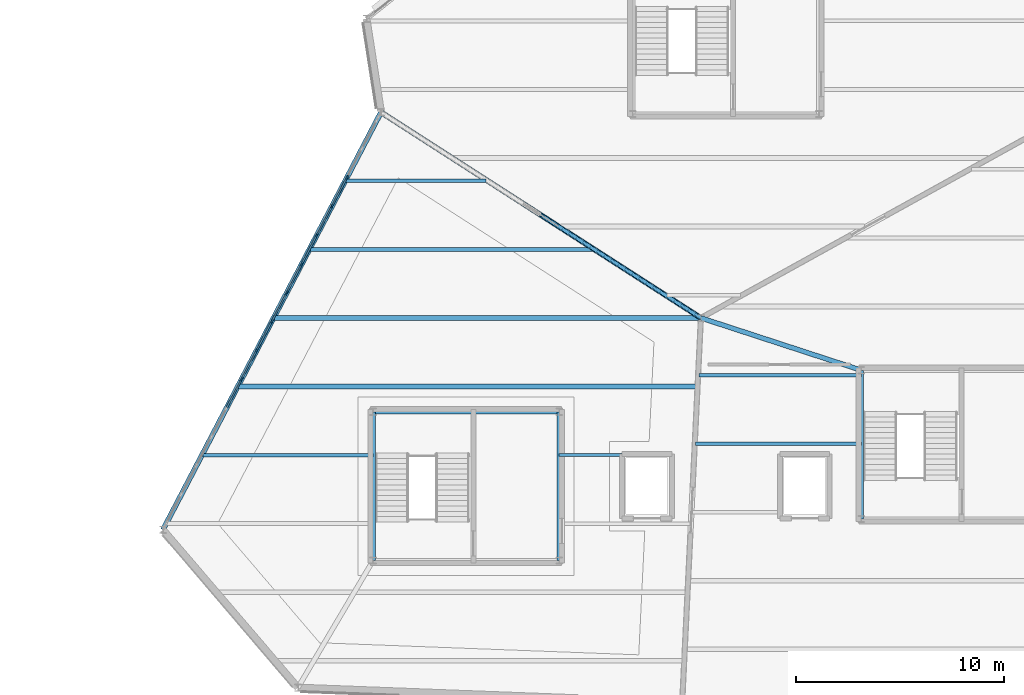
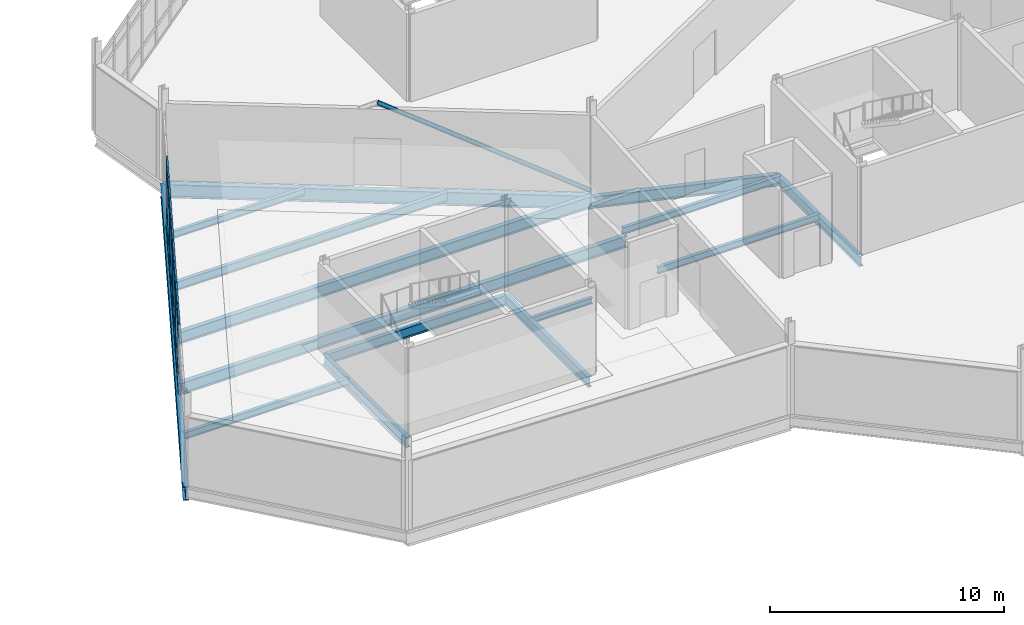
# One storey, part 37 of 76: 41 members, 15 beams, 1 element without a shape of its own.
"""IFC4 building model written with IfcOpenShell, lengths in metres."""

from ifc_helpers import new_model, si_unit, direction, frame, origin, origin_2d, place, context, subcontext, project, spatial, rectangle, hollow_circle, i_section, extrude, material, material_profile, profile_set, type_object, element, aggregate, save


model = new_model("IFC4")

# Units and contexts
model_context = context("Model", 3, precision=1e-05, world=origin(), true_north=direction((0.0, 1.0)))
body_context = subcontext(model_context, "Body", "Model", "MODEL_VIEW")
ifc_project = project(units=[si_unit("LENGTHUNIT", "METRE"), si_unit("AREAUNIT", "SQUARE_METRE"), si_unit("VOLUMEUNIT", "CUBIC_METRE"), si_unit("PLANEANGLEUNIT", "RADIAN"), si_unit("MASSUNIT", "GRAM", prefix="KILO")], contexts=[model_context])

# Site, building, storey
site_placement = place(None, origin())
site = spatial("IfcSite", under=ifc_project, at=site_placement, CompositionType="ELEMENT")
building_placement = place(site_placement, origin())
building = spatial("IfcBuilding", under=site, at=building_placement, Name="Tameran Prism Museum", CompositionType="ELEMENT")
storey_placement = place(building_placement, frame((0.0, 0.0, 15.0)))
storey = spatial("IfcBuildingStorey", under=building, at=storey_placement, Name="L03", CompositionType="ELEMENT", Elevation=15.0)

# Beams
ifc_material_1 = material(Name="Steel Grade 300PLUS (300 MPa)", Category="steel")
ifc_material_profile_1 = material_profile(ifc_material_1, i_section(OverallWidth=0.1650390625, OverallDepth=0.303955078125, WebThickness=0.006103515625, FlangeThickness=0.01025390625, FilletRadius=0.011474609375, at=origin_2d()))
ifc_profile_set_1 = profile_set([ifc_material_profile_1])
beam_type_1 = type_object("IfcBeamType", Name="BM-J310B", PredefinedType="JOIST", material=ifc_profile_set_1)
beam_1_placement = place(storey_placement, frame((111.97998046875, 82.5, -0.35205078125), z_axis=(1.0, 0.0, 0.0), x_axis=(0.0, 1.0, 0.0)))
element("IfcBeam", 1, at=beam_1_placement, inside=storey, type_object=beam_type_1, Name="Floor Beam BM-1055", PredefinedType="JOIST", context=body_context, shape_type="SweptSolid", body=[
    extrude(i_section(OverallWidth=0.1650390625, OverallDepth=0.303955078125, WebThickness=0.006103515625, FlangeThickness=0.01025390625, FilletRadius=0.011474609375, at=origin_2d()), origin(), (0.0, 0.0, 1.0), 3.0400390625),
])
ifc_material_2 = material(Name="Steel Grade 300PLUS (300 MPa)", Category="steel")
ifc_material_profile_2 = material_profile(ifc_material_2, i_section(OverallWidth=0.172119140625, OverallDepth=0.35888671875, WebThickness=0.008056640625, FlangeThickness=0.012939453125, FilletRadius=0.011474609375, at=origin_2d()))
ifc_profile_set_2 = profile_set([ifc_material_profile_2])
beam_type_2 = type_object("IfcBeamType", Name="BM-J360A", PredefinedType="JOIST", material=ifc_profile_set_2)
beam_2_placement = place(storey_placement, frame((118.7060546875, 86.35009765625, -0.37939453125), z_axis=(1.0, 0.0, 0.0), x_axis=(0.0, 1.0, 0.0)))
element("IfcBeam", 2, at=beam_2_placement, inside=storey, type_object=beam_type_2, Name="Floor Beam BM-1068", PredefinedType="JOIST", context=body_context, shape_type="SweptSolid", body=[
    extrude(i_section(OverallWidth=0.172119140625, OverallDepth=0.35888671875, WebThickness=0.008056640625, FlangeThickness=0.012939453125, FilletRadius=0.011474609375, at=origin_2d()), origin(), (0.0, 0.0, 1.0), 7.81396484375),
])
ifc_material_3 = material(Name="Steel Grade 300PLUS (300 MPa)", Category="steel")
ifc_material_profile_3 = material_profile(ifc_material_3, i_section(OverallWidth=0.1708984375, OverallDepth=0.35595703125, WebThickness=0.00732421875, FlangeThickness=0.011474609375, FilletRadius=0.011474609375, at=origin_2d()))
ifc_profile_set_3 = profile_set([ifc_material_profile_3])
beam_type_3 = type_object("IfcBeamType", Name="BM-J360B", PredefinedType="JOIST", material=ifc_profile_set_3)
beam_3_placement = place(storey_placement, frame((94.825927734375, 82.5, -0.3779296875), z_axis=(1.0, 0.0, 0.0), x_axis=(0.0, 1.0, 0.0)))
element("IfcBeam", 3, at=beam_3_placement, inside=storey, type_object=beam_type_3, Name="Floor Beam BM-1054", PredefinedType="JOIST", context=body_context, shape_type="SweptSolid", body=[
    extrude(i_section(OverallWidth=0.1708984375, OverallDepth=0.35595703125, WebThickness=0.00732421875, FlangeThickness=0.011474609375, FilletRadius=0.011474609375, at=origin_2d()), origin(), (0.0, 0.0, 1.0), 8.194091796875),
])
beam_4_placement = place(storey_placement, frame((101.720947265625, 95.699951171875, -0.3779296875), z_axis=(1.0, 0.0, 0.0), x_axis=(0.0, 1.0, 0.0)))
element("IfcBeam", 4, at=beam_4_placement, inside=storey, type_object=beam_type_3, Name="Floor Beam BM-1059", PredefinedType="JOIST", context=body_context, shape_type="SweptSolid", body=[
    extrude(i_section(OverallWidth=0.1708984375, OverallDepth=0.35595703125, WebThickness=0.00732421875, FlangeThickness=0.011474609375, FilletRadius=0.011474609375, at=origin_2d()), origin(), (0.0, 0.0, 1.0), 6.738037109375),
])
beam_5_placement = place(storey_placement, frame((118.5458984375, 83.050048828125, -0.3779296875), z_axis=(1.0, 0.0, 0.0), x_axis=(0.0, 1.0, 0.0)))
element("IfcBeam", 5, at=beam_5_placement, inside=storey, type_object=beam_type_3, Name="Floor Beam BM-1066", PredefinedType="JOIST", context=body_context, shape_type="SweptSolid", body=[
    extrude(i_section(OverallWidth=0.1708984375, OverallDepth=0.35595703125, WebThickness=0.00732421875, FlangeThickness=0.011474609375, FilletRadius=0.011474609375, at=origin_2d()), origin(), (0.0, 0.0, 1.0), 7.97412109375),
])
ifc_material_4 = material(Name="Steel Grade 300PLUS (300 MPa)", Category="steel")
ifc_material_profile_4 = material_profile(ifc_material_4, i_section(OverallWidth=0.18994140625, OverallDepth=0.4541015625, WebThickness=0.008544921875, FlangeThickness=0.0126953125, FilletRadius=0.011474609375, at=origin_2d()))
ifc_profile_set_4 = profile_set([ifc_material_profile_4])
beam_type_4 = type_object("IfcBeamType", Name="BM-J460B", PredefinedType="JOIST", material=ifc_profile_set_4)
beam_6_placement = place(storey_placement, frame((99.9970703125, 92.39990234375, -0.427001953125), z_axis=(1.0, 0.0, 0.0), x_axis=(0.0, 1.0, 0.0)))
element("IfcBeam", 6, at=beam_6_placement, inside=storey, type_object=beam_type_4, Name="Floor Beam BM-1058", PredefinedType="JOIST", context=body_context, shape_type="SweptSolid", body=[
    extrude(i_section(OverallWidth=0.18994140625, OverallDepth=0.4541015625, WebThickness=0.008544921875, FlangeThickness=0.0126953125, FilletRadius=0.011474609375, at=origin_2d()), origin(), (0.0, 0.0, 1.0), 13.595947265625),
])
ifc_material_5 = material(Name="Steel Grade 300PLUS (300 MPa)", Category="steel")
ifc_material_profile_5 = material_profile(ifc_material_5, i_section(OverallWidth=0.208984375, OverallDepth=0.528076171875, WebThickness=0.009521484375, FlangeThickness=0.01318359375, FilletRadius=0.013916015625, at=origin_2d()))
ifc_profile_set_5 = profile_set([ifc_material_profile_5])
beam_type_5 = type_object("IfcBeamType", Name="BM-SP530B", PredefinedType="SPANDREL", material=ifc_profile_set_5)
beam_7_placement = place(storey_placement, frame((111.97998046875, 77.419921875, -0.50390625), z_axis=(0.0, 1.0, 0.0), x_axis=(-1.0, 0.0, 0.0)))
element("IfcBeam", 7, at=beam_7_placement, inside=storey, type_object=beam_type_5, Name="Core Ring Beam CTB-1015", PredefinedType="SPANDREL", context=body_context, shape_type="SweptSolid", body=[
    extrude(i_section(OverallWidth=0.208984375, OverallDepth=0.528076171875, WebThickness=0.009521484375, FlangeThickness=0.01318359375, FilletRadius=0.013916015625, at=origin_2d()), origin(), (0.0, 0.0, 1.0), 7.16015625),
])
beam_8_placement = place(storey_placement, frame((111.97998046875, 84.580078125, -0.50390625), z_axis=(-1.0, 0.0, 0.0), x_axis=(0.0, -1.0, 0.0)))
element("IfcBeam", 8, at=beam_8_placement, inside=storey, type_object=beam_type_5, Name="Core Ring Beam CTB-1016", PredefinedType="SPANDREL", context=body_context, shape_type="SweptSolid", body=[
    extrude(i_section(OverallWidth=0.208984375, OverallDepth=0.528076171875, WebThickness=0.009521484375, FlangeThickness=0.01318359375, FilletRadius=0.013916015625, at=origin_2d()), origin(), (0.0, 0.0, 1.0), 8.9599609375),
])
for number, where, z_axis, x_axis, name in (
    (9, (103.02001953125, 84.580078125, -0.50390625), (0.0, -1.0, 0.0), (1.0, 0.0, 0.0), "Core Ring Beam CTB-1017"),
    (10, (126.52001953125, 86.580078125, -0.50390625), (0.0, -1.0, 0.0), (1.0, 0.0, 0.0), "Core Ring Beam CTB-1021"),
):
    element("IfcBeam", number, at=place(storey_placement, frame(where, z_axis=z_axis, x_axis=x_axis)), inside=storey, type_object=beam_type_5, Name=name, PredefinedType="SPANDREL", context=body_context, shape_type="SweptSolid", body=[
        extrude(i_section(OverallWidth=0.208984375, OverallDepth=0.528076171875, WebThickness=0.009521484375, FlangeThickness=0.01318359375, FilletRadius=0.013916015625, at=origin_2d()), origin(), (0.0, 0.0, 1.0), 7.16015625),
    ])
ifc_material_6 = material(Name="Steel Grade 350 (350 MPa)", Category="steel")
ifc_material_profile_6 = material_profile(ifc_material_6, i_section(OverallWidth=0.25, OverallDepth=0.699951171875, WebThickness=0.010009765625, FlangeThickness=0.02001953125, at=origin_2d()))
ifc_profile_set_6 = profile_set([ifc_material_profile_6])
beam_type_6 = type_object("IfcBeamType", Name="BM-SP700", PredefinedType="SPANDREL", material=ifc_profile_set_6)
beam_9_placement = place(storey_placement, frame((118.800048828125, 89.10009765625, -0.550048828125), z_axis=(-0.841183241423, 0.540750177392, 0.0), x_axis=(-0.540750177392, -0.841183241423, 0.0)))
element("IfcBeam", 11, at=beam_9_placement, inside=storey, type_object=beam_type_6, Name="Perimeter Spandrel SP-0942", PredefinedType="SPANDREL", context=body_context, shape_type="SweptSolid", body=[
    extrude(i_section(OverallWidth=0.25, OverallDepth=0.699951171875, WebThickness=0.010009765625, FlangeThickness=0.02001953125, at=origin_2d()), origin(), (0.0, 0.0, 1.0), 18.3076171875),
])
beam_10_placement = place(storey_placement, frame((103.39990234375, 99.0, -0.550048828125), z_axis=(-0.463016287734, -0.886349771418, 0.0), x_axis=(0.886349771418, -0.463016287734, 0.0)))
element("IfcBeam", 12, at=beam_10_placement, inside=storey, type_object=beam_type_6, Name="Perimeter Spandrel SP-0943", PredefinedType="SPANDREL", context=body_context, shape_type="SweptSolid", body=[
    extrude(i_section(OverallWidth=0.25, OverallDepth=0.699951171875, WebThickness=0.010009765625, FlangeThickness=0.02001953125, at=origin_2d()), origin(), (0.0, 0.0, 1.0), 22.677490234375),
])
ifc_material_7 = material(Name="Steel Grade 300PLUS (300 MPa)", Category="steel")
ifc_material_profile_7 = material_profile(ifc_material_7, i_section(OverallWidth=0.22900390625, OverallDepth=0.612060546875, WebThickness=0.011962890625, FlangeThickness=0.01953125, FilletRadius=0.013916015625, at=origin_2d()))
ifc_profile_set_7 = profile_set([ifc_material_profile_7])
beam_type_7 = type_object("IfcBeamType", Name="BM-UB610A", PredefinedType="BEAM", material=ifc_profile_set_7)
beam_11_placement = place(storey_placement, frame((126.52001953125, 86.580078125, -0.56005859375), z_axis=(-0.950634056225, 0.310314181346, 0.0), x_axis=(-0.310314181346, -0.950634056225, 0.0)))
element("IfcBeam", 13, at=beam_11_placement, inside=storey, type_object=beam_type_7, Name="Frame Tie Girder FG-1396", PredefinedType="BEAM", context=body_context, shape_type="SweptSolid", body=[
    extrude(i_section(OverallWidth=0.22900390625, OverallDepth=0.612060546875, WebThickness=0.011962890625, FlangeThickness=0.01953125, FilletRadius=0.013916015625, at=origin_2d()), origin(), (0.0, 0.0, 1.0), 8.120849609375),
])
ifc_material_8 = material(Name="Steel Grade 300PLUS (300 MPa)", Category="steel")
ifc_material_profile_8 = material_profile(ifc_material_8, i_section(OverallWidth=0.22802734375, OverallDepth=0.60693359375, WebThickness=0.01123046875, FlangeThickness=0.017333984375, FilletRadius=0.013916015625, at=origin_2d()))
ifc_profile_set_8 = profile_set([ifc_material_profile_8])
beam_type_8 = type_object("IfcBeamType", Name="BM-UB610B", PredefinedType="BEAM", material=ifc_profile_set_8)
beam_12_placement = place(storey_placement, frame((96.550048828125, 85.800048828125, -0.50341796875), z_axis=(1.0, 0.0, 0.0), x_axis=(0.0, 1.0, 0.0)))
element("IfcBeam", 14, at=beam_12_placement, inside=storey, type_object=beam_type_8, Name="Floor Beam BM-1056", PredefinedType="BEAM", context=body_context, shape_type="SweptSolid", body=[
    extrude(i_section(OverallWidth=0.22802734375, OverallDepth=0.60693359375, WebThickness=0.01123046875, FlangeThickness=0.017333984375, FilletRadius=0.013916015625, at=origin_2d()), origin(), (0.0, 0.0, 1.0), 22.049072265625),
])
beam_13_placement = place(storey_placement, frame((98.27294921875, 89.10009765625, -0.50341796875), z_axis=(1.0, 0.0, 0.0), x_axis=(0.0, 1.0, 0.0)))
element("IfcBeam", 15, at=beam_13_placement, inside=storey, type_object=beam_type_8, Name="Floor Beam BM-1057", PredefinedType="BEAM", context=body_context, shape_type="SweptSolid", body=[
    extrude(i_section(OverallWidth=0.22802734375, OverallDepth=0.60693359375, WebThickness=0.01123046875, FlangeThickness=0.017333984375, FilletRadius=0.013916015625, at=origin_2d()), origin(), (0.0, 0.0, 1.0), 20.453125),
])

# Curtain wall, members
ifc_material_9 = material(Name="Anodised Aluminium 6063-T6 and Cyclone Solar Glass", Category="aluminium")
curtain_wall_type = type_object("IfcCurtainWallType", Name="CW-FAC-2192x362", PredefinedType="USERDEFINED", material=ifc_material_9)
curtain_wall_placement = place(storey_placement, origin())
curtain_wall = element("IfcCurtainWall", 16, at=curtain_wall_placement, inside=storey, type_object=curtain_wall_type, Name="Unitised Curtain Wall CW-130", ObjectType="UNITISED CURTAIN WALL", PredefinedType="USERDEFINED")
ifc_material_10 = material(Name="Anodised Aluminium Alloy 6063-T6", Category="aluminium")
ifc_material_profile_9 = material_profile(ifc_material_10, rectangle(XDim=0.080078125, YDim=0.219970703125, at=origin_2d()))
ifc_profile_set_9 = profile_set([ifc_material_profile_9])
member_type_1 = type_object("IfcMemberType", Name="CW-MUL-D", PredefinedType="MULLION", material=ifc_profile_set_9)
member_1_placement = place(storey_placement, frame((96.686279296875, 86.148193359375, 0.0), z_axis=(0.0, 0.0, 1.0), x_axis=(-0.886356952612, 0.463002540551, 0.0)))
member_1 = element("IfcMember", 17, at=member_1_placement, type_object=member_type_1, Name="CW-130 mullion 6", PredefinedType="MULLION", context=body_context, shape_type="SweptSolid", body=[
    extrude(rectangle(XDim=0.080078125, YDim=0.219970703125, at=origin_2d()), origin(), (0.0, 0.0, 1.0), 3.6201171875),
])
member_2_placement = place(storey_placement, frame((97.4111328125, 87.535888671875, 0.0), z_axis=(0.0, 0.0, 1.0), x_axis=(-0.886356952612, 0.463002540551, 0.0)))
member_2 = element("IfcMember", 18, at=member_2_placement, type_object=member_type_1, Name="CW-130 mullion 7", PredefinedType="MULLION", context=body_context, shape_type="SweptSolid", body=[
    extrude(rectangle(XDim=0.080078125, YDim=0.219970703125, at=origin_2d()), origin(), (0.0, 0.0, 1.0), 3.6201171875),
])
member_3_placement = place(storey_placement, frame((98.135986328125, 88.923583984375, 0.0), z_axis=(0.0, 0.0, 1.0), x_axis=(-0.886356952612, 0.463002540551, 0.0)))
member_3 = element("IfcMember", 19, at=member_3_placement, type_object=member_type_1, Name="CW-130 mullion 8", PredefinedType="MULLION", context=body_context, shape_type="SweptSolid", body=[
    extrude(rectangle(XDim=0.080078125, YDim=0.219970703125, at=origin_2d()), origin(), (0.0, 0.0, 1.0), 3.6201171875),
])
member_4_placement = place(storey_placement, frame((98.86083984375, 90.31103515625, 0.0), z_axis=(0.0, 0.0, 1.0), x_axis=(-0.886356952612, 0.463002540551, 0.0)))
member_4 = element("IfcMember", 20, at=member_4_placement, type_object=member_type_1, Name="CW-130 mullion 9", PredefinedType="MULLION", context=body_context, shape_type="SweptSolid", body=[
    extrude(rectangle(XDim=0.080078125, YDim=0.219970703125, at=origin_2d()), origin(), (0.0, 0.0, 1.0), 3.6201171875),
])
member_5_placement = place(storey_placement, frame((99.585693359375, 91.69873046875, 0.0), z_axis=(0.0, 0.0, 1.0), x_axis=(-0.886356952612, 0.463002540551, 0.0)))
member_5 = element("IfcMember", 21, at=member_5_placement, type_object=member_type_1, Name="CW-130 mullion 10", PredefinedType="MULLION", context=body_context, shape_type="SweptSolid", body=[
    extrude(rectangle(XDim=0.080078125, YDim=0.219970703125, at=origin_2d()), origin(), (0.0, 0.0, 1.0), 3.6201171875),
])
member_6_placement = place(storey_placement, frame((100.310546875, 93.08642578125, 0.0), z_axis=(0.0, 0.0, 1.0), x_axis=(-0.886356952612, 0.463002540551, 0.0)))
member_6 = element("IfcMember", 22, at=member_6_placement, type_object=member_type_1, Name="CW-130 mullion 11", PredefinedType="MULLION", context=body_context, shape_type="SweptSolid", body=[
    extrude(rectangle(XDim=0.080078125, YDim=0.219970703125, at=origin_2d()), origin(), (0.0, 0.0, 1.0), 3.6201171875),
])
member_7_placement = place(storey_placement, frame((101.035400390625, 94.47412109375, 0.0), z_axis=(0.0, 0.0, 1.0), x_axis=(-0.886356952612, 0.463002540551, 0.0)))
member_7 = element("IfcMember", 23, at=member_7_placement, type_object=member_type_1, Name="CW-130 mullion 12", PredefinedType="MULLION", context=body_context, shape_type="SweptSolid", body=[
    extrude(rectangle(XDim=0.080078125, YDim=0.219970703125, at=origin_2d()), origin(), (0.0, 0.0, 1.0), 3.6201171875),
])
member_8_placement = place(storey_placement, frame((101.76025390625, 95.86181640625, 0.0), z_axis=(0.0, 0.0, 1.0), x_axis=(-0.886356952612, 0.463002540551, 0.0)))
member_8 = element("IfcMember", 24, at=member_8_placement, type_object=member_type_1, Name="CW-130 mullion 13", PredefinedType="MULLION", context=body_context, shape_type="SweptSolid", body=[
    extrude(rectangle(XDim=0.080078125, YDim=0.219970703125, at=origin_2d()), origin(), (0.0, 0.0, 1.0), 3.6201171875),
])
ifc_material_11 = material(Name="Anodised Aluminium Alloy 6063-T6", Category="aluminium")
ifc_material_profile_10 = material_profile(ifc_material_11, rectangle(XDim=0.080078125, YDim=0.195068359375, at=origin_2d()))
ifc_profile_set_10 = profile_set([ifc_material_profile_10])
member_type_2 = type_object("IfcMemberType", Name="CW-TRN-D", PredefinedType="USERDEFINED", material=ifc_profile_set_10)
member_9_placement = place(storey_placement, frame((95.97998046875, 84.796142578125, 0.0400390625), z_axis=(0.462987220267, 0.886364955236, 0.0), x_axis=(-0.886364955236, 0.462987220267, 0.0)))
member_9 = element("IfcMember", 25, at=member_9_placement, type_object=member_type_2, Name="CW-130 transom 5.1", ObjectType="TRANSOM", PredefinedType="USERDEFINED", context=body_context, shape_type="SweptSolid", body=[
    extrude(rectangle(XDim=0.080078125, YDim=0.195068359375, at=origin_2d()), origin(), (0.0, 0.0, 1.0), 1.4853515625),
])
member_10_placement = place(storey_placement, frame((95.97998046875, 84.796142578125, 1.0), z_axis=(0.462987220267, 0.886364955236, 0.0), x_axis=(-0.886364955236, 0.462987220267, 0.0)))
member_10 = element("IfcMember", 26, at=member_10_placement, type_object=member_type_2, Name="CW-130 transom 5.2", ObjectType="TRANSOM", PredefinedType="USERDEFINED", context=body_context, shape_type="SweptSolid", body=[
    extrude(rectangle(XDim=0.080078125, YDim=0.195068359375, at=origin_2d()), origin(), (0.0, 0.0, 1.0), 1.4853515625),
])
member_11_placement = place(storey_placement, frame((95.97998046875, 84.796142578125, 2.93994140625), z_axis=(0.462987220267, 0.886364955236, 0.0), x_axis=(-0.886364955236, 0.462987220267, 0.0)))
member_11 = element("IfcMember", 27, at=member_11_placement, type_object=member_type_2, Name="CW-130 transom 5.3", ObjectType="TRANSOM", PredefinedType="USERDEFINED", context=body_context, shape_type="SweptSolid", body=[
    extrude(rectangle(XDim=0.080078125, YDim=0.195068359375, at=origin_2d()), origin(), (0.0, 0.0, 1.0), 1.4853515625),
])
member_12_placement = place(storey_placement, frame((95.97998046875, 84.796142578125, 3.580078125), z_axis=(0.462987220267, 0.886364955236, 0.0), x_axis=(-0.886364955236, 0.462987220267, 0.0)))
member_12 = element("IfcMember", 28, at=member_12_placement, type_object=member_type_2, Name="CW-130 transom 5.4", ObjectType="TRANSOM", PredefinedType="USERDEFINED", context=body_context, shape_type="SweptSolid", body=[
    extrude(rectangle(XDim=0.080078125, YDim=0.195068359375, at=origin_2d()), origin(), (0.0, 0.0, 1.0), 1.4853515625),
])
member_13_placement = place(storey_placement, frame((96.704833984375, 86.18359375, 0.0400390625), z_axis=(0.46291978158, 0.886400178148, 0.0), x_axis=(-0.886400178148, 0.46291978158, 0.0)))
member_13 = element("IfcMember", 29, at=member_13_placement, type_object=member_type_2, Name="CW-130 transom 6.1", ObjectType="TRANSOM", PredefinedType="USERDEFINED", context=body_context, shape_type="SweptSolid", body=[
    extrude(rectangle(XDim=0.080078125, YDim=0.195068359375, at=origin_2d()), origin(), (0.0, 0.0, 1.0), 1.485595703125),
])
member_14_placement = place(storey_placement, frame((96.704833984375, 86.18359375, 1.0), z_axis=(0.46291978158, 0.886400178148, 0.0), x_axis=(-0.886400178148, 0.46291978158, 0.0)))
member_14 = element("IfcMember", 30, at=member_14_placement, type_object=member_type_2, Name="CW-130 transom 6.2", ObjectType="TRANSOM", PredefinedType="USERDEFINED", context=body_context, shape_type="SweptSolid", body=[
    extrude(rectangle(XDim=0.080078125, YDim=0.195068359375, at=origin_2d()), origin(), (0.0, 0.0, 1.0), 1.485595703125),
])
member_15_placement = place(storey_placement, frame((96.704833984375, 86.18359375, 2.93994140625), z_axis=(0.46291978158, 0.886400178148, 0.0), x_axis=(-0.886400178148, 0.46291978158, 0.0)))
member_15 = element("IfcMember", 31, at=member_15_placement, type_object=member_type_2, Name="CW-130 transom 6.3", ObjectType="TRANSOM", PredefinedType="USERDEFINED", context=body_context, shape_type="SweptSolid", body=[
    extrude(rectangle(XDim=0.080078125, YDim=0.195068359375, at=origin_2d()), origin(), (0.0, 0.0, 1.0), 1.485595703125),
])
member_16_placement = place(storey_placement, frame((96.704833984375, 86.18359375, 3.580078125), z_axis=(0.46291978158, 0.886400178148, 0.0), x_axis=(-0.886400178148, 0.46291978158, 0.0)))
member_16 = element("IfcMember", 32, at=member_16_placement, type_object=member_type_2, Name="CW-130 transom 6.4", ObjectType="TRANSOM", PredefinedType="USERDEFINED", context=body_context, shape_type="SweptSolid", body=[
    extrude(rectangle(XDim=0.080078125, YDim=0.195068359375, at=origin_2d()), origin(), (0.0, 0.0, 1.0), 1.485595703125),
])
member_17_placement = place(storey_placement, frame((97.4296875, 87.5712890625, 0.0400390625), z_axis=(0.462987220267, 0.886364955236, 0.0), x_axis=(-0.886364955236, 0.462987220267, 0.0)))
member_17 = element("IfcMember", 33, at=member_17_placement, type_object=member_type_2, Name="CW-130 transom 7.1", ObjectType="TRANSOM", PredefinedType="USERDEFINED", context=body_context, shape_type="SweptSolid", body=[
    extrude(rectangle(XDim=0.080078125, YDim=0.195068359375, at=origin_2d()), origin(), (0.0, 0.0, 1.0), 1.4853515625),
])
member_18_placement = place(storey_placement, frame((97.4296875, 87.5712890625, 1.0), z_axis=(0.462987220267, 0.886364955236, 0.0), x_axis=(-0.886364955236, 0.462987220267, 0.0)))
member_18 = element("IfcMember", 34, at=member_18_placement, type_object=member_type_2, Name="CW-130 transom 7.2", ObjectType="TRANSOM", PredefinedType="USERDEFINED", context=body_context, shape_type="SweptSolid", body=[
    extrude(rectangle(XDim=0.080078125, YDim=0.195068359375, at=origin_2d()), origin(), (0.0, 0.0, 1.0), 1.4853515625),
])
member_19_placement = place(storey_placement, frame((97.4296875, 87.5712890625, 2.93994140625), z_axis=(0.462987220267, 0.886364955236, 0.0), x_axis=(-0.886364955236, 0.462987220267, 0.0)))
member_19 = element("IfcMember", 35, at=member_19_placement, type_object=member_type_2, Name="CW-130 transom 7.3", ObjectType="TRANSOM", PredefinedType="USERDEFINED", context=body_context, shape_type="SweptSolid", body=[
    extrude(rectangle(XDim=0.080078125, YDim=0.195068359375, at=origin_2d()), origin(), (0.0, 0.0, 1.0), 1.4853515625),
])
member_20_placement = place(storey_placement, frame((97.4296875, 87.5712890625, 3.580078125), z_axis=(0.462987220267, 0.886364955236, 0.0), x_axis=(-0.886364955236, 0.462987220267, 0.0)))
member_20 = element("IfcMember", 36, at=member_20_placement, type_object=member_type_2, Name="CW-130 transom 7.4", ObjectType="TRANSOM", PredefinedType="USERDEFINED", context=body_context, shape_type="SweptSolid", body=[
    extrude(rectangle(XDim=0.080078125, YDim=0.195068359375, at=origin_2d()), origin(), (0.0, 0.0, 1.0), 1.4853515625),
])
member_21_placement = place(storey_placement, frame((98.154541015625, 88.958984375, 0.0400390625), z_axis=(0.462987220267, 0.886364955236, 0.0), x_axis=(-0.886364955236, 0.462987220267, 0.0)))
member_21 = element("IfcMember", 37, at=member_21_placement, type_object=member_type_2, Name="CW-130 transom 8.1", ObjectType="TRANSOM", PredefinedType="USERDEFINED", context=body_context, shape_type="SweptSolid", body=[
    extrude(rectangle(XDim=0.080078125, YDim=0.195068359375, at=origin_2d()), origin(), (0.0, 0.0, 1.0), 1.4853515625),
])
member_22_placement = place(storey_placement, frame((98.154541015625, 88.958984375, 1.0), z_axis=(0.462987220267, 0.886364955236, 0.0), x_axis=(-0.886364955236, 0.462987220267, 0.0)))
member_22 = element("IfcMember", 38, at=member_22_placement, type_object=member_type_2, Name="CW-130 transom 8.2", ObjectType="TRANSOM", PredefinedType="USERDEFINED", context=body_context, shape_type="SweptSolid", body=[
    extrude(rectangle(XDim=0.080078125, YDim=0.195068359375, at=origin_2d()), origin(), (0.0, 0.0, 1.0), 1.4853515625),
])
member_23_placement = place(storey_placement, frame((98.154541015625, 88.958984375, 2.93994140625), z_axis=(0.462987220267, 0.886364955236, 0.0), x_axis=(-0.886364955236, 0.462987220267, 0.0)))
member_23 = element("IfcMember", 39, at=member_23_placement, type_object=member_type_2, Name="CW-130 transom 8.3", ObjectType="TRANSOM", PredefinedType="USERDEFINED", context=body_context, shape_type="SweptSolid", body=[
    extrude(rectangle(XDim=0.080078125, YDim=0.195068359375, at=origin_2d()), origin(), (0.0, 0.0, 1.0), 1.4853515625),
])
member_24_placement = place(storey_placement, frame((98.154541015625, 88.958984375, 3.580078125), z_axis=(0.462987220267, 0.886364955236, 0.0), x_axis=(-0.886364955236, 0.462987220267, 0.0)))
member_24 = element("IfcMember", 40, at=member_24_placement, type_object=member_type_2, Name="CW-130 transom 8.4", ObjectType="TRANSOM", PredefinedType="USERDEFINED", context=body_context, shape_type="SweptSolid", body=[
    extrude(rectangle(XDim=0.080078125, YDim=0.195068359375, at=origin_2d()), origin(), (0.0, 0.0, 1.0), 1.4853515625),
])
member_25_placement = place(storey_placement, frame((98.87939453125, 90.3466796875, 0.0400390625), z_axis=(0.462987220267, 0.886364955236, 0.0), x_axis=(-0.886364955236, 0.462987220267, 0.0)))
member_25 = element("IfcMember", 41, at=member_25_placement, type_object=member_type_2, Name="CW-130 transom 9.1", ObjectType="TRANSOM", PredefinedType="USERDEFINED", context=body_context, shape_type="SweptSolid", body=[
    extrude(rectangle(XDim=0.080078125, YDim=0.195068359375, at=origin_2d()), origin(), (0.0, 0.0, 1.0), 1.4853515625),
])
member_26_placement = place(storey_placement, frame((98.87939453125, 90.3466796875, 1.0), z_axis=(0.462987220267, 0.886364955236, 0.0), x_axis=(-0.886364955236, 0.462987220267, 0.0)))
member_26 = element("IfcMember", 42, at=member_26_placement, type_object=member_type_2, Name="CW-130 transom 9.2", ObjectType="TRANSOM", PredefinedType="USERDEFINED", context=body_context, shape_type="SweptSolid", body=[
    extrude(rectangle(XDim=0.080078125, YDim=0.195068359375, at=origin_2d()), origin(), (0.0, 0.0, 1.0), 1.4853515625),
])
member_27_placement = place(storey_placement, frame((98.87939453125, 90.3466796875, 2.93994140625), z_axis=(0.462987220267, 0.886364955236, 0.0), x_axis=(-0.886364955236, 0.462987220267, 0.0)))
member_27 = element("IfcMember", 43, at=member_27_placement, type_object=member_type_2, Name="CW-130 transom 9.3", ObjectType="TRANSOM", PredefinedType="USERDEFINED", context=body_context, shape_type="SweptSolid", body=[
    extrude(rectangle(XDim=0.080078125, YDim=0.195068359375, at=origin_2d()), origin(), (0.0, 0.0, 1.0), 1.4853515625),
])
member_28_placement = place(storey_placement, frame((98.87939453125, 90.3466796875, 3.580078125), z_axis=(0.462987220267, 0.886364955236, 0.0), x_axis=(-0.886364955236, 0.462987220267, 0.0)))
member_28 = element("IfcMember", 44, at=member_28_placement, type_object=member_type_2, Name="CW-130 transom 9.4", ObjectType="TRANSOM", PredefinedType="USERDEFINED", context=body_context, shape_type="SweptSolid", body=[
    extrude(rectangle(XDim=0.080078125, YDim=0.195068359375, at=origin_2d()), origin(), (0.0, 0.0, 1.0), 1.4853515625),
])
member_29_placement = place(storey_placement, frame((99.604248046875, 91.734130859375, 0.0400390625), z_axis=(0.46291978158, 0.886400178148, 0.0), x_axis=(-0.886400178148, 0.46291978158, 0.0)))
member_29 = element("IfcMember", 45, at=member_29_placement, type_object=member_type_2, Name="CW-130 transom 10.1", ObjectType="TRANSOM", PredefinedType="USERDEFINED", context=body_context, shape_type="SweptSolid", body=[
    extrude(rectangle(XDim=0.080078125, YDim=0.195068359375, at=origin_2d()), origin(), (0.0, 0.0, 1.0), 1.485595703125),
])
member_30_placement = place(storey_placement, frame((99.604248046875, 91.734130859375, 1.0), z_axis=(0.46291978158, 0.886400178148, 0.0), x_axis=(-0.886400178148, 0.46291978158, 0.0)))
member_30 = element("IfcMember", 46, at=member_30_placement, type_object=member_type_2, Name="CW-130 transom 10.2", ObjectType="TRANSOM", PredefinedType="USERDEFINED", context=body_context, shape_type="SweptSolid", body=[
    extrude(rectangle(XDim=0.080078125, YDim=0.195068359375, at=origin_2d()), origin(), (0.0, 0.0, 1.0), 1.485595703125),
])
member_31_placement = place(storey_placement, frame((99.604248046875, 91.734130859375, 2.93994140625), z_axis=(0.46291978158, 0.886400178148, 0.0), x_axis=(-0.886400178148, 0.46291978158, 0.0)))
member_31 = element("IfcMember", 47, at=member_31_placement, type_object=member_type_2, Name="CW-130 transom 10.3", ObjectType="TRANSOM", PredefinedType="USERDEFINED", context=body_context, shape_type="SweptSolid", body=[
    extrude(rectangle(XDim=0.080078125, YDim=0.195068359375, at=origin_2d()), origin(), (0.0, 0.0, 1.0), 1.485595703125),
])
member_32_placement = place(storey_placement, frame((99.604248046875, 91.734130859375, 3.580078125), z_axis=(0.46291978158, 0.886400178148, 0.0), x_axis=(-0.886400178148, 0.46291978158, 0.0)))
member_32 = element("IfcMember", 48, at=member_32_placement, type_object=member_type_2, Name="CW-130 transom 10.4", ObjectType="TRANSOM", PredefinedType="USERDEFINED", context=body_context, shape_type="SweptSolid", body=[
    extrude(rectangle(XDim=0.080078125, YDim=0.195068359375, at=origin_2d()), origin(), (0.0, 0.0, 1.0), 1.485595703125),
])
member_33_placement = place(storey_placement, frame((100.3291015625, 93.121826171875, 0.0400390625), z_axis=(0.46291978158, 0.886400178148, 0.0), x_axis=(-0.886400178148, 0.46291978158, 0.0)))
member_33 = element("IfcMember", 49, at=member_33_placement, type_object=member_type_2, Name="CW-130 transom 11.1", ObjectType="TRANSOM", PredefinedType="USERDEFINED", context=body_context, shape_type="SweptSolid", body=[
    extrude(rectangle(XDim=0.080078125, YDim=0.195068359375, at=origin_2d()), origin(), (0.0, 0.0, 1.0), 1.485595703125),
])
member_34_placement = place(storey_placement, frame((100.3291015625, 93.121826171875, 1.0), z_axis=(0.46291978158, 0.886400178148, 0.0), x_axis=(-0.886400178148, 0.46291978158, 0.0)))
member_34 = element("IfcMember", 50, at=member_34_placement, type_object=member_type_2, Name="CW-130 transom 11.2", ObjectType="TRANSOM", PredefinedType="USERDEFINED", context=body_context, shape_type="SweptSolid", body=[
    extrude(rectangle(XDim=0.080078125, YDim=0.195068359375, at=origin_2d()), origin(), (0.0, 0.0, 1.0), 1.485595703125),
])
member_35_placement = place(storey_placement, frame((100.3291015625, 93.121826171875, 2.93994140625), z_axis=(0.46291978158, 0.886400178148, 0.0), x_axis=(-0.886400178148, 0.46291978158, 0.0)))
member_35 = element("IfcMember", 51, at=member_35_placement, type_object=member_type_2, Name="CW-130 transom 11.3", ObjectType="TRANSOM", PredefinedType="USERDEFINED", context=body_context, shape_type="SweptSolid", body=[
    extrude(rectangle(XDim=0.080078125, YDim=0.195068359375, at=origin_2d()), origin(), (0.0, 0.0, 1.0), 1.485595703125),
])
member_36_placement = place(storey_placement, frame((100.3291015625, 93.121826171875, 3.580078125), z_axis=(0.46291978158, 0.886400178148, 0.0), x_axis=(-0.886400178148, 0.46291978158, 0.0)))
member_36 = element("IfcMember", 52, at=member_36_placement, type_object=member_type_2, Name="CW-130 transom 11.4", ObjectType="TRANSOM", PredefinedType="USERDEFINED", context=body_context, shape_type="SweptSolid", body=[
    extrude(rectangle(XDim=0.080078125, YDim=0.195068359375, at=origin_2d()), origin(), (0.0, 0.0, 1.0), 1.485595703125),
])
member_37_placement = place(storey_placement, frame((101.053955078125, 94.509521484375, 0.0400390625), z_axis=(0.462987220267, 0.886364955236, 0.0), x_axis=(-0.886364955236, 0.462987220267, 0.0)))
member_37 = element("IfcMember", 53, at=member_37_placement, type_object=member_type_2, Name="CW-130 transom 12.1", ObjectType="TRANSOM", PredefinedType="USERDEFINED", context=body_context, shape_type="SweptSolid", body=[
    extrude(rectangle(XDim=0.080078125, YDim=0.195068359375, at=origin_2d()), origin(), (0.0, 0.0, 1.0), 1.4853515625),
])
member_38_placement = place(storey_placement, frame((101.053955078125, 94.509521484375, 1.0), z_axis=(0.462987220267, 0.886364955236, 0.0), x_axis=(-0.886364955236, 0.462987220267, 0.0)))
member_38 = element("IfcMember", 54, at=member_38_placement, type_object=member_type_2, Name="CW-130 transom 12.2", ObjectType="TRANSOM", PredefinedType="USERDEFINED", context=body_context, shape_type="SweptSolid", body=[
    extrude(rectangle(XDim=0.080078125, YDim=0.195068359375, at=origin_2d()), origin(), (0.0, 0.0, 1.0), 1.4853515625),
])
member_39_placement = place(storey_placement, frame((101.053955078125, 94.509521484375, 2.93994140625), z_axis=(0.462987220267, 0.886364955236, 0.0), x_axis=(-0.886364955236, 0.462987220267, 0.0)))
member_39 = element("IfcMember", 55, at=member_39_placement, type_object=member_type_2, Name="CW-130 transom 12.3", ObjectType="TRANSOM", PredefinedType="USERDEFINED", context=body_context, shape_type="SweptSolid", body=[
    extrude(rectangle(XDim=0.080078125, YDim=0.195068359375, at=origin_2d()), origin(), (0.0, 0.0, 1.0), 1.4853515625),
])
member_40_placement = place(storey_placement, frame((101.053955078125, 94.509521484375, 3.580078125), z_axis=(0.462987220267, 0.886364955236, 0.0), x_axis=(-0.886364955236, 0.462987220267, 0.0)))
member_40 = element("IfcMember", 56, at=member_40_placement, type_object=member_type_2, Name="CW-130 transom 12.4", ObjectType="TRANSOM", PredefinedType="USERDEFINED", context=body_context, shape_type="SweptSolid", body=[
    extrude(rectangle(XDim=0.080078125, YDim=0.195068359375, at=origin_2d()), origin(), (0.0, 0.0, 1.0), 1.4853515625),
])
aggregate(curtain_wall, [member_1, member_2, member_3, member_4, member_5, member_6, member_7, member_8, member_9, member_10, member_11, member_12, member_13, member_14, member_15, member_16, member_17, member_18, member_19, member_20, member_21, member_22, member_23, member_24, member_25, member_26, member_27, member_28, member_29, member_30, member_31, member_32, member_33, member_34, member_35, member_36, member_37, member_38, member_39, member_40])

# Member
ifc_material_12 = material(Name="Steel Grade C350L0 (350 MPa)", Category="steel")
ifc_material_profile_11 = material_profile(ifc_material_12, hollow_circle(Radius=0.109619140625, WallThickness=0.00830078125, at=origin_2d()))
ifc_profile_set_11 = profile_set([ifc_material_profile_11])
member_type_3 = type_object("IfcMemberType", Name="MM-BR-CHS219", PredefinedType="BRACE", material=ifc_profile_set_11)
member_41_placement = place(storey_placement, frame((118.800048828125, 89.10009765625, 0.0), z_axis=(-0.761358209643, 0.489442839041, 0.425181589348), x_axis=(-0.540756243316, -0.841179341945, 0.0)))
element("IfcMember", 57, at=member_41_placement, inside=storey, type_object=member_type_3, Name="Lateral Chevron Brace CBF-019", PredefinedType="BRACE", context=body_context, shape_type="SweptSolid", body=[
    extrude(hollow_circle(Radius=0.109619140625, WallThickness=0.00830078125, at=origin_2d()), origin(), (0.0, 0.0, 1.0), 10.113525390625),
])

save(model, "model.ifc")
